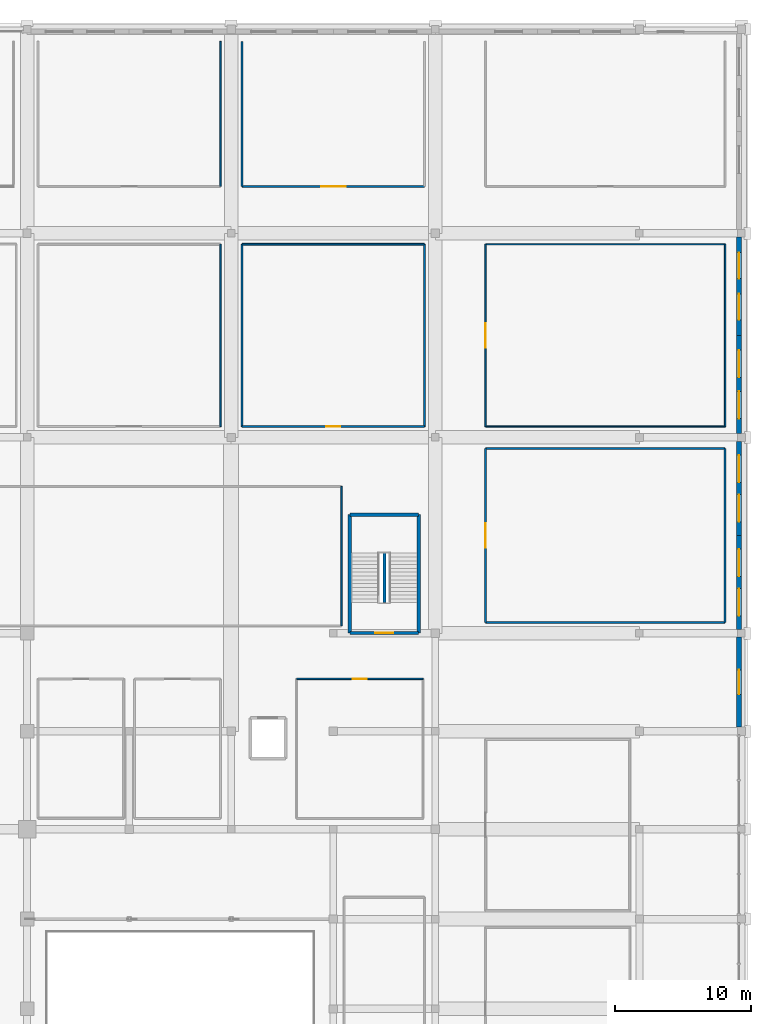
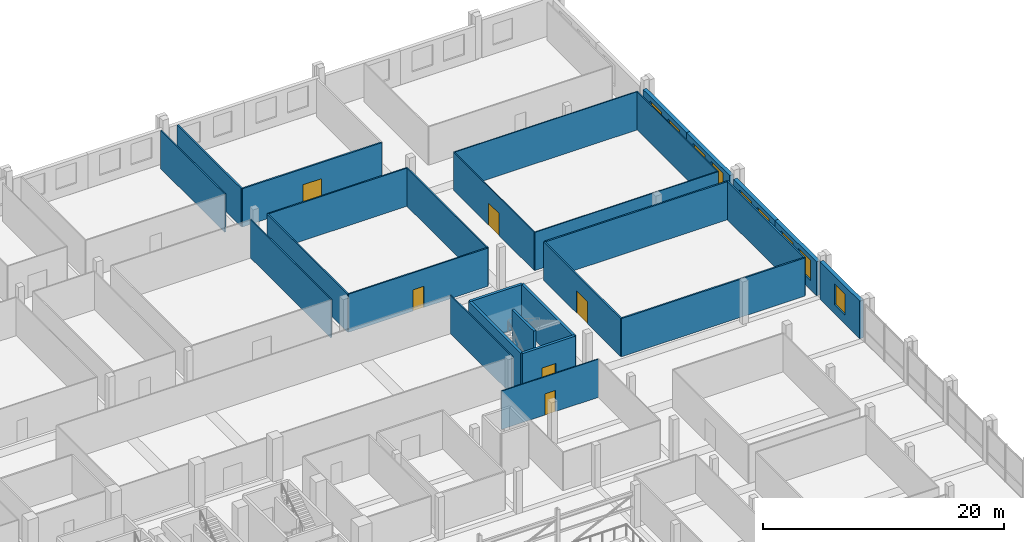
# One storey, part 54 of 68: 28 walls, 9 windows, 6 doors, 15 openings.
"""IFC4 building model written with IfcOpenShell, lengths in metres."""

from ifc_helpers import new_model, si_unit, direction, frame, frame_2d, origin, place, context, subcontext, project, spatial, rectangle, extrude, material, layer, layer_set, type_object, element, fill, save


model = new_model("IFC4")

# Units and contexts
model_context = context("Model", 3, precision=1e-05, world=origin(), true_north=direction((0.0, 1.0)))
body_context = subcontext(model_context, "Body", "Model", "MODEL_VIEW")
ifc_project = project(units=[si_unit("LENGTHUNIT", "METRE"), si_unit("AREAUNIT", "SQUARE_METRE"), si_unit("VOLUMEUNIT", "CUBIC_METRE"), si_unit("PLANEANGLEUNIT", "RADIAN"), si_unit("MASSUNIT", "GRAM", prefix="KILO")], contexts=[model_context])

# Site, building, storey
site_placement = place(None, origin())
site = spatial("IfcSite", under=ifc_project, at=site_placement, CompositionType="ELEMENT")
building_placement = place(site_placement, origin())
building = spatial("IfcBuilding", under=site, at=building_placement, Name="Akrevak Sports Hall", CompositionType="ELEMENT")
storey_placement = place(building_placement, frame((0.0, 0.0, 9.39990234375)))
storey = spatial("IfcBuildingStorey", under=building, at=storey_placement, Name="L02", CompositionType="ELEMENT", Elevation=9.39990234375)

# Wall, opening, window
ifc_material_1 = material(Name="Limestone Ashlar", Category="stone")
ifc_layer_1 = layer(ifc_material_1, 0.080078125, Name="Limestone Ashlar")
ifc_material_2 = material(Name="Mineral Wool Thermal Insulation", Category="insulation")
ifc_layer_2 = layer(ifc_material_2, 0.10009765625, Name="Mineral Wool Thermal Insulation")
ifc_material_3 = material(Name="Concrete C40/50", Category="concrete")
ifc_layer_3 = layer(ifc_material_3, 0.179931640625, Name="Concrete C40/50")
ifc_layer_set_1 = layer_set([ifc_layer_1, ifc_layer_2, ifc_layer_3], Name="Limestone Ashlar / Mineral Wool Thermal Insulation / Concrete C40/50")
wall_type_1 = type_object("IfcWallType", Name="ARC-WL-EXT-360", PredefinedType="SOLIDWALL", material=ifc_layer_set_1)
wall_1_placement = place(storey_placement, frame((167.820068359375, 62.699951171875, 0.0), z_axis=(0.0, 0.0, 1.0), x_axis=(0.0, 1.0, 0.0)))
wall_1 = element("IfcWall", 1, at=wall_1_placement, inside=storey, type_object=wall_type_1, Name="Exterior Limestone Wall L02-E10", PredefinedType="SOLIDWALL", context=body_context, shape_type="SweptSolid", body=[
    extrude(rectangle(XDim=6.625, YDim=0.360107421875, at=frame_2d((3.3125, 0.0))), origin(), (0.0, 0.0, 1.0), 3.820068359375),
])
opening_1_placement = place(wall_1_placement, frame((2.41259765625, 0.0, 0.919921875)))
opening_1 = element("IfcOpeningElement", 2, at=opening_1_placement, cuts=wall_1, Name="Opening WN-37", PredefinedType="OPENING", context=body_context, shape_type="SweptSolid", body=[
    extrude(rectangle(XDim=1.800048828125, YDim=2.10009765625, at=frame_2d((0.89990234375, 1.050048828125))), frame((0.0, 0.19189453125, 0.0), z_axis=(0.0, -1.0, 0.0), x_axis=(1.0, 0.0, 0.0)), (0.0, 0.0, 1.0), 0.384033203125),
])
ifc_material_4 = material(Name="Thermally Broken Bronze Frame & Double Low-E Glass", Category="glass")
window_type_1 = type_object("IfcWindowType", Name="ARC-WIN-SZ-1800x2100", PartitioningType="SINGLE_PANEL", PredefinedType="WINDOW", material=ifc_material_4)
window_1_placement = place(opening_1_placement, origin())
window_1 = element("IfcWindow", 3, at=window_1_placement, inside=storey, type_object=window_type_1, Name="Beaux-Arts Facade Window WIN-L02-E10", OverallHeight=2.10009765625, OverallWidth=1.800048828125, PartitioningType="SINGLE_PANEL", PredefinedType="WINDOW", context=body_context, shape_type="SweptSolid", body=[
    extrude(rectangle(XDim=1.800048828125, YDim=2.10009765625, at=frame_2d((0.89990234375, 1.050048828125))), frame((0.0, 0.030029296875, 0.0), z_axis=(0.0, -1.0, 0.0), x_axis=(1.0, 0.0, 0.0)), (0.0, 0.0, 1.0), 0.06005859375),
])
fill(opening_1, window_1)

# Wall, openings, windows
wall_2_placement = place(storey_placement, frame((167.820068359375, 69.875, 0.0), z_axis=(0.0, 0.0, 1.0), x_axis=(0.0, 1.0, 0.0)))
wall_2 = element("IfcWall", 4, at=wall_2_placement, inside=storey, type_object=wall_type_1, Name="Exterior Limestone Wall L02-E11", PredefinedType="SOLIDWALL", context=body_context, shape_type="SweptSolid", body=[
    extrude(rectangle(XDim=6.925048828125, YDim=0.360107421875, at=frame_2d((3.46240234375, 0.0))), origin(), (0.0, 0.0, 1.0), 3.4501953125),
])
opening_2_placement = place(wall_2_placement, frame((1.00830078125, 0.0, 0.919921875)))
opening_2 = element("IfcOpeningElement", 5, at=opening_2_placement, cuts=wall_2, Name="Opening WN-36", PredefinedType="OPENING", context=body_context, shape_type="SweptSolid", body=[
    extrude(rectangle(XDim=2.0, YDim=2.10009765625, at=frame_2d((1.0, 1.050048828125))), frame((0.0, 0.19189453125, 0.0), z_axis=(0.0, -1.0, 0.0), x_axis=(1.0, 0.0, 0.0)), (0.0, 0.0, 1.0), 0.384033203125),
])
opening_3_placement = place(wall_2_placement, frame((3.916748046875, 0.0, 0.919921875)))
opening_3 = element("IfcOpeningElement", 6, at=opening_3_placement, cuts=wall_2, Name="Opening WN-36", PredefinedType="OPENING", context=body_context, shape_type="SweptSolid", body=[
    extrude(rectangle(XDim=2.0, YDim=2.10009765625, at=frame_2d((1.0, 1.050048828125))), frame((0.0, 0.19189453125, 0.0), z_axis=(0.0, -1.0, 0.0), x_axis=(1.0, 0.0, 0.0)), (0.0, 0.0, 1.0), 0.384033203125),
])
window_type_2 = type_object("IfcWindowType", Name="ARC-WIN-SZ-2000x2100", PartitioningType="SINGLE_PANEL", PredefinedType="WINDOW", material=ifc_material_4)
window_2_placement = place(opening_2_placement, origin())
window_2 = element("IfcWindow", 7, at=window_2_placement, inside=storey, type_object=window_type_2, Name="Beaux-Arts Facade Window WIN-L02-E11-1", OverallHeight=2.10009765625, OverallWidth=2.0, PartitioningType="SINGLE_PANEL", PredefinedType="WINDOW", context=body_context, shape_type="SweptSolid", body=[
    extrude(rectangle(XDim=2.0, YDim=2.10009765625, at=frame_2d((1.0, 1.050048828125))), frame((0.0, 0.030029296875, 0.0), z_axis=(0.0, -1.0, 0.0), x_axis=(1.0, 0.0, 0.0)), (0.0, 0.0, 1.0), 0.06005859375),
])
fill(opening_2, window_2)
window_3_placement = place(opening_3_placement, origin())
window_3 = element("IfcWindow", 8, at=window_3_placement, inside=storey, type_object=window_type_2, Name="Beaux-Arts Facade Window WIN-L02-E11-2", OverallHeight=2.10009765625, OverallWidth=2.0, PartitioningType="SINGLE_PANEL", PredefinedType="WINDOW", context=body_context, shape_type="SweptSolid", body=[
    extrude(rectangle(XDim=2.0, YDim=2.10009765625, at=frame_2d((1.0, 1.050048828125))), frame((0.0, 0.030029296875, 0.0), z_axis=(0.0, -1.0, 0.0), x_axis=(1.0, 0.0, 0.0)), (0.0, 0.0, 1.0), 0.06005859375),
])
fill(opening_3, window_3)

wall_3_placement = place(storey_placement, frame((167.820068359375, 76.800048828125, 0.0), z_axis=(0.0, 0.0, 1.0), x_axis=(0.0, 1.0, 0.0)))
wall_3 = element("IfcWall", 9, at=wall_3_placement, inside=storey, type_object=wall_type_1, Name="Exterior Limestone Wall L02-E12", PredefinedType="SOLIDWALL", context=body_context, shape_type="SweptSolid", body=[
    extrude(rectangle(XDim=6.89990234375, YDim=0.360107421875, at=frame_2d((3.449951171875, 0.0))), origin(), (0.0, 0.0, 1.0), 3.4501953125),
])
opening_4_placement = place(wall_3_placement, frame((1.0009765625, 0.0, 0.919921875)))
opening_4 = element("IfcOpeningElement", 10, at=opening_4_placement, cuts=wall_3, Name="Opening WN-36", PredefinedType="OPENING", context=body_context, shape_type="SweptSolid", body=[
    extrude(rectangle(XDim=2.0, YDim=2.10009765625, at=frame_2d((1.0, 1.050048828125))), frame((0.0, 0.19189453125, 0.0), z_axis=(0.0, -1.0, 0.0), x_axis=(1.0, 0.0, 0.0)), (0.0, 0.0, 1.0), 0.384033203125),
])
opening_5_placement = place(wall_3_placement, frame((3.89892578125, 0.0, 0.919921875)))
opening_5 = element("IfcOpeningElement", 11, at=opening_5_placement, cuts=wall_3, Name="Opening WN-36", PredefinedType="OPENING", context=body_context, shape_type="SweptSolid", body=[
    extrude(rectangle(XDim=2.0, YDim=2.10009765625, at=frame_2d((1.0, 1.050048828125))), frame((0.0, 0.19189453125, 0.0), z_axis=(0.0, -1.0, 0.0), x_axis=(1.0, 0.0, 0.0)), (0.0, 0.0, 1.0), 0.384033203125),
])
window_4_placement = place(opening_4_placement, origin())
window_4 = element("IfcWindow", 12, at=window_4_placement, inside=storey, type_object=window_type_2, Name="Beaux-Arts Facade Window WIN-L02-E12-1", OverallHeight=2.10009765625, OverallWidth=2.0, PartitioningType="SINGLE_PANEL", PredefinedType="WINDOW", context=body_context, shape_type="SweptSolid", body=[
    extrude(rectangle(XDim=2.0, YDim=2.10009765625, at=frame_2d((1.0, 1.050048828125))), frame((0.0, 0.030029296875, 0.0), z_axis=(0.0, -1.0, 0.0), x_axis=(1.0, 0.0, 0.0)), (0.0, 0.0, 1.0), 0.06005859375),
])
fill(opening_4, window_4)
window_5_placement = place(opening_5_placement, origin())
window_5 = element("IfcWindow", 13, at=window_5_placement, inside=storey, type_object=window_type_2, Name="Beaux-Arts Facade Window WIN-L02-E12-2", OverallHeight=2.10009765625, OverallWidth=2.0, PartitioningType="SINGLE_PANEL", PredefinedType="WINDOW", context=body_context, shape_type="SweptSolid", body=[
    extrude(rectangle(XDim=2.0, YDim=2.10009765625, at=frame_2d((1.0, 1.050048828125))), frame((0.0, 0.030029296875, 0.0), z_axis=(0.0, -1.0, 0.0), x_axis=(1.0, 0.0, 0.0)), (0.0, 0.0, 1.0), 0.06005859375),
])
fill(opening_5, window_5)

wall_4_placement = place(storey_placement, frame((167.820068359375, 84.300048828125, 0.0), z_axis=(0.0, 0.0, 1.0), x_axis=(0.0, 1.0, 0.0)))
wall_4 = element("IfcWall", 14, at=wall_4_placement, inside=storey, type_object=wall_type_1, Name="Exterior Limestone Wall L02-E13", PredefinedType="SOLIDWALL", context=body_context, shape_type="SweptSolid", body=[
    extrude(rectangle(XDim=7.199951171875, YDim=0.360107421875, at=frame_2d((3.60009765625, 0.0))), origin(), (0.0, 0.0, 1.0), 3.4501953125),
])
opening_6_placement = place(wall_4_placement, frame((1.087890625, 0.0, 0.919921875)))
opening_6 = element("IfcOpeningElement", 15, at=opening_6_placement, cuts=wall_4, Name="Opening WN-36", PredefinedType="OPENING", context=body_context, shape_type="SweptSolid", body=[
    extrude(rectangle(XDim=2.0, YDim=2.10009765625, at=frame_2d((1.0, 1.050048828125))), frame((0.0, 0.19189453125, 0.0), z_axis=(0.0, -1.0, 0.0), x_axis=(1.0, 0.0, 0.0)), (0.0, 0.0, 1.0), 0.384033203125),
])
opening_7_placement = place(wall_4_placement, frame((4.112060546875, 0.0, 0.919921875)))
opening_7 = element("IfcOpeningElement", 16, at=opening_7_placement, cuts=wall_4, Name="Opening WN-36", PredefinedType="OPENING", context=body_context, shape_type="SweptSolid", body=[
    extrude(rectangle(XDim=2.0, YDim=2.10009765625, at=frame_2d((1.0, 1.050048828125))), frame((0.0, 0.19189453125, 0.0), z_axis=(0.0, -1.0, 0.0), x_axis=(1.0, 0.0, 0.0)), (0.0, 0.0, 1.0), 0.384033203125),
])
window_6_placement = place(opening_6_placement, origin())
window_6 = element("IfcWindow", 17, at=window_6_placement, inside=storey, type_object=window_type_2, Name="Beaux-Arts Facade Window WIN-L02-E13-1", OverallHeight=2.10009765625, OverallWidth=2.0, PartitioningType="SINGLE_PANEL", PredefinedType="WINDOW", context=body_context, shape_type="SweptSolid", body=[
    extrude(rectangle(XDim=2.0, YDim=2.10009765625, at=frame_2d((1.0, 1.050048828125))), frame((0.0, 0.030029296875, 0.0), z_axis=(0.0, -1.0, 0.0), x_axis=(1.0, 0.0, 0.0)), (0.0, 0.0, 1.0), 0.06005859375),
])
fill(opening_6, window_6)
window_7_placement = place(opening_7_placement, origin())
window_7 = element("IfcWindow", 18, at=window_7_placement, inside=storey, type_object=window_type_2, Name="Beaux-Arts Facade Window WIN-L02-E13-2", OverallHeight=2.10009765625, OverallWidth=2.0, PartitioningType="SINGLE_PANEL", PredefinedType="WINDOW", context=body_context, shape_type="SweptSolid", body=[
    extrude(rectangle(XDim=2.0, YDim=2.10009765625, at=frame_2d((1.0, 1.050048828125))), frame((0.0, 0.030029296875, 0.0), z_axis=(0.0, -1.0, 0.0), x_axis=(1.0, 0.0, 0.0)), (0.0, 0.0, 1.0), 0.06005859375),
])
fill(opening_7, window_7)

wall_5_placement = place(storey_placement, frame((167.820068359375, 91.5, 0.0), z_axis=(0.0, 0.0, 1.0), x_axis=(0.0, 1.0, 0.0)))
wall_5 = element("IfcWall", 19, at=wall_5_placement, inside=storey, type_object=wall_type_1, Name="Exterior Limestone Wall L02-E14", PredefinedType="SOLIDWALL", context=body_context, shape_type="SweptSolid", body=[
    extrude(rectangle(XDim=7.22509765625, YDim=0.360107421875, at=frame_2d((3.612548828125, 0.0))), origin(), (0.0, 0.0, 1.0), 3.4501953125),
])
opening_8_placement = place(wall_5_placement, frame((1.145263671875, 0.0, 0.919921875)))
opening_8 = element("IfcOpeningElement", 20, at=opening_8_placement, cuts=wall_5, Name="Opening WN-38", PredefinedType="OPENING", context=body_context, shape_type="SweptSolid", body=[
    extrude(rectangle(XDim=1.89990234375, YDim=2.10009765625, at=frame_2d((0.949951171875, 1.050048828125))), frame((0.0, 0.19189453125, 0.0), z_axis=(0.0, -1.0, 0.0), x_axis=(1.0, 0.0, 0.0)), (0.0, 0.0, 1.0), 0.384033203125),
])
opening_9_placement = place(wall_5_placement, frame((4.1796875, 0.0, 0.919921875)))
opening_9 = element("IfcOpeningElement", 21, at=opening_9_placement, cuts=wall_5, Name="Opening WN-38", PredefinedType="OPENING", context=body_context, shape_type="SweptSolid", body=[
    extrude(rectangle(XDim=1.89990234375, YDim=2.10009765625, at=frame_2d((0.949951171875, 1.050048828125))), frame((0.0, 0.19189453125, 0.0), z_axis=(0.0, -1.0, 0.0), x_axis=(1.0, 0.0, 0.0)), (0.0, 0.0, 1.0), 0.384033203125),
])
window_type_3 = type_object("IfcWindowType", Name="ARC-WIN-SZ-1900x2100", PartitioningType="SINGLE_PANEL", PredefinedType="WINDOW", material=ifc_material_4)
window_8_placement = place(opening_8_placement, origin())
window_8 = element("IfcWindow", 22, at=window_8_placement, inside=storey, type_object=window_type_3, Name="Beaux-Arts Facade Window WIN-L02-E14-1", OverallHeight=2.10009765625, OverallWidth=1.89990234375, PartitioningType="SINGLE_PANEL", PredefinedType="WINDOW", context=body_context, shape_type="SweptSolid", body=[
    extrude(rectangle(XDim=1.89990234375, YDim=2.10009765625, at=frame_2d((0.949951171875, 1.050048828125))), frame((0.0, 0.030029296875, 0.0), z_axis=(0.0, -1.0, 0.0), x_axis=(1.0, 0.0, 0.0)), (0.0, 0.0, 1.0), 0.06005859375),
])
fill(opening_8, window_8)
window_9_placement = place(opening_9_placement, origin())
window_9 = element("IfcWindow", 23, at=window_9_placement, inside=storey, type_object=window_type_3, Name="Beaux-Arts Facade Window WIN-L02-E14-2", OverallHeight=2.10009765625, OverallWidth=1.89990234375, PartitioningType="SINGLE_PANEL", PredefinedType="WINDOW", context=body_context, shape_type="SweptSolid", body=[
    extrude(rectangle(XDim=1.89990234375, YDim=2.10009765625, at=frame_2d((0.949951171875, 1.050048828125))), frame((0.0, 0.030029296875, 0.0), z_axis=(0.0, -1.0, 0.0), x_axis=(1.0, 0.0, 0.0)), (0.0, 0.0, 1.0), 0.06005859375),
])
fill(opening_9, window_9)

# Wall, opening, door
ifc_material_5 = material(Name="Sanitary Cubicle Partition", Category="gypsum")
ifc_layer_4 = layer(ifc_material_5, 0.10009765625, Name="Sanitary Cubicle Partition")
ifc_layer_set_2 = layer_set([ifc_layer_4], Name="Sanitary Cubicle Partition")
wall_type_2 = type_object("IfcWallType", Name="ARC-WL-PRT-100", PredefinedType="PARTITIONING", material=ifc_layer_set_2)
wall_6_placement = place(storey_placement, frame((135.300048828125, 66.25, 0.0), z_axis=(0.0, 0.0, 1.0), x_axis=(1.0, 0.0, 0.0)))
wall_6 = element("IfcWall", 24, at=wall_6_placement, inside=storey, type_object=wall_type_2, Name="Interior Partition Match Delegates & Referees Office L02 (N)", PredefinedType="PARTITIONING", context=body_context, shape_type="SweptSolid", body=[
    extrude(rectangle(XDim=9.300048828125, YDim=0.10009765625, at=frame_2d((4.64990234375, 0.0))), origin(), (0.0, 0.0, 1.0), 3.880126953125),
])
opening_10_placement = place(wall_6_placement, frame((4.14990234375, 0.0, 0.0)))
opening_10 = element("IfcOpeningElement", 25, at=opening_10_placement, cuts=wall_6, Name="Opening ID-06", PredefinedType="OPENING", context=body_context, shape_type="SweptSolid", body=[
    extrude(rectangle(XDim=1.0, YDim=2.14990234375, at=frame_2d((0.5, 1.074951171875))), frame((0.0, 0.06201171875, 0.0), z_axis=(0.0, -1.0, 0.0), x_axis=(1.0, 0.0, 0.0)), (0.0, 0.0, 1.0), 0.1240234375),
])
ifc_material_6 = material(Name="Hardwood Oak Acoustic Leaf", Category="wood")
door_type_1 = type_object("IfcDoorType", Name="ARC-DR-OFF-100x215", OperationType="NOTDEFINED", PredefinedType="DOOR", material=ifc_material_6)
door_1_placement = place(opening_10_placement, frame((1.0, 0.0, 0.0), z_axis=(0.0, 0.0, 1.0), x_axis=(-1.0, 0.0, 0.0)))
door_1 = element("IfcDoor", 26, at=door_1_placement, inside=storey, type_object=door_type_1, Name="Door to Match Delegates & Referees Office L02", OperationType="SINGLE_SWING_RIGHT", OverallHeight=2.14990234375, OverallWidth=1.0, PredefinedType="DOOR", context=body_context, shape_type="SweptSolid", body=[
    extrude(rectangle(XDim=1.0, YDim=2.14990234375, at=frame_2d((0.5, 1.074951171875))), frame((0.0, 0.02490234375, 0.0), z_axis=(0.0, -1.0, 0.0), x_axis=(1.0, 0.0, 0.0)), (0.0, 0.0, 1.0), 0.050048828125),
])
fill(opening_10, door_1)

# Walls
for number, where, z_axis, x_axis, name in (
    (27, (149.199951171875, 84.800048828125, 0.0), (0.0, 0.0, 1.0), (1.0, 0.0, 0.0), "Interior Partition North-East Gear Storage L02-2 (S)"),
    (28, (149.199951171875, 98.199951171875, 0.0), (0.0, 0.0, 1.0), (1.0, 0.0, 0.0), "Interior Partition North-East Gear Storage L02-2 (N)"),
):
    element("IfcWall", number, at=place(storey_placement, frame(where, z_axis=z_axis, x_axis=x_axis)), inside=storey, type_object=wall_type_2, Name=name, PredefinedType="PARTITIONING", context=body_context, shape_type="SweptSolid", body=[
        extrude(rectangle(XDim=17.60009765625, YDim=0.10009765625, at=frame_2d((8.800048828125, 0.0))), origin(), (0.0, 0.0, 1.0), 3.880126953125),
    ])

# Wall, opening, door
wall_7_placement = place(storey_placement, frame((149.199951171875, 84.800048828125, 0.0), z_axis=(0.0, 0.0, 1.0), x_axis=(0.0, 1.0, 0.0)))
wall_7 = element("IfcWall", 29, at=wall_7_placement, inside=storey, type_object=wall_type_2, Name="Interior Partition North-East Gear Storage L02-2 (W)", PredefinedType="PARTITIONING", context=body_context, shape_type="SweptSolid", body=[
    extrude(rectangle(XDim=13.39990234375, YDim=0.10009765625, at=frame_2d((6.699951171875, 0.0))), origin(), (0.0, 0.0, 1.0), 3.880126953125),
])
opening_11_placement = place(wall_7_placement, frame((5.800048828125, 0.0, 0.0)))
opening_11 = element("IfcOpeningElement", 30, at=opening_11_placement, cuts=wall_7, Name="Opening ID-02", PredefinedType="OPENING", context=body_context, shape_type="SweptSolid", body=[
    extrude(rectangle(XDim=1.800048828125, YDim=2.25, at=frame_2d((0.89990234375, 1.125))), frame((0.0, 0.06201171875, 0.0), z_axis=(0.0, -1.0, 0.0), x_axis=(1.0, 0.0, 0.0)), (0.0, 0.0, 1.0), 0.1240234375),
])
ifc_material_7 = material(Name="Hardwood Oak & Safety Glass", Category="wood")
door_type_2 = type_object("IfcDoorType", Name="ARC-DR-HALL-180x225", OperationType="DOUBLE_DOOR_SINGLE_SWING", PredefinedType="DOOR", material=ifc_material_7)
door_2_placement = place(opening_11_placement, origin())
door_2 = element("IfcDoor", 31, at=door_2_placement, inside=storey, type_object=door_type_2, Name="Door to North-East Gear Storage L02-2", OperationType="DOUBLE_DOOR_SINGLE_SWING", OverallHeight=2.25, OverallWidth=1.800048828125, PredefinedType="DOOR", context=body_context, shape_type="SweptSolid", body=[
    extrude(rectangle(XDim=1.800048828125, YDim=2.25, at=frame_2d((0.89990234375, 1.125))), frame((0.0, 0.02490234375, 0.0), z_axis=(0.0, -1.0, 0.0), x_axis=(1.0, 0.0, 0.0)), (0.0, 0.0, 1.0), 0.050048828125),
])
fill(opening_11, door_2)

# Walls
wall_8_placement = place(storey_placement, frame((166.800048828125, 84.800048828125, 0.0), z_axis=(0.0, 0.0, 1.0), x_axis=(0.0, 1.0, 0.0)))
element("IfcWall", 32, at=wall_8_placement, inside=storey, type_object=wall_type_2, Name="Interior Partition North-East Gear Storage L02-2 (E)", PredefinedType="PARTITIONING", context=body_context, shape_type="SweptSolid", body=[
    extrude(rectangle(XDim=13.39990234375, YDim=0.10009765625, at=frame_2d((6.699951171875, 0.0))), origin(), (0.0, 0.0, 1.0), 3.880126953125),
])
ifc_material_8 = material(Name="Lightweight Office Partition", Category="gypsum")
ifc_layer_5 = layer(ifc_material_8, 0.110107421875, Name="Lightweight Office Partition")
ifc_layer_set_3 = layer_set([ifc_layer_5], Name="Lightweight Office Partition")
wall_type_3 = type_object("IfcWallType", Name="ARC-WL-PRT-110", PredefinedType="PARTITIONING", material=ifc_layer_set_3)
wall_9_placement = place(storey_placement, frame((138.60009765625, 70.14990234375, 0.0), z_axis=(0.0, 0.0, 1.0), x_axis=(0.0, 1.0, 0.0)))
element("IfcWall", 33, at=wall_9_placement, inside=storey, type_object=wall_type_3, Name="Interior Partition Upper Equipment Storage L02-3 (E)", PredefinedType="PARTITIONING", context=body_context, shape_type="SweptSolid", body=[
    extrude(rectangle(XDim=10.25, YDim=0.110107421875, at=frame_2d((5.125, 0.0))), origin(), (0.0, 0.0, 1.0), 3.880126953125),
])
ifc_material_9 = material(Name="Standard Metal Stud Partition", Category="gypsum")
ifc_layer_6 = layer(ifc_material_9, 0.1201171875, Name="Standard Metal Stud Partition")
ifc_layer_set_4 = layer_set([ifc_layer_6], Name="Standard Metal Stud Partition")
wall_type_4 = type_object("IfcWallType", Name="ARC-WL-PRT-120", PredefinedType="PARTITIONING", material=ifc_layer_set_4)
wall_10_placement = place(storey_placement, frame((129.699951171875, 84.800048828125, 0.0), z_axis=(0.0, 0.0, 1.0), x_axis=(0.0, 1.0, 0.0)))
element("IfcWall", 34, at=wall_10_placement, inside=storey, type_object=wall_type_4, Name="Interior Partition Athletic Gear & Equipment Storage L02-10 (E)", PredefinedType="PARTITIONING", context=body_context, shape_type="SweptSolid", body=[
    extrude(rectangle(XDim=13.39990234375, YDim=0.1201171875, at=frame_2d((6.699951171875, 0.0))), origin(), (0.0, 0.0, 1.0), 3.880126953125),
])
wall_11_placement = place(storey_placement, frame((129.699951171875, 102.449951171875, 0.0), z_axis=(0.0, 0.0, 1.0), x_axis=(0.0, 1.0, 0.0)))
element("IfcWall", 35, at=wall_11_placement, inside=storey, type_object=wall_type_4, Name="Interior Partition Federation Officiating & Records Office L02-10 (E)", PredefinedType="PARTITIONING", context=body_context, shape_type="SweptSolid", body=[
    extrude(rectangle(XDim=10.650146484375, YDim=0.1201171875, at=frame_2d((5.3251953125, 0.0))), origin(), (0.0, 0.0, 1.0), 3.880126953125),
])

# Wall, opening, door
ifc_material_10 = material(Name="Acoustic Metal Stud Partition", Category="gypsum")
ifc_layer_7 = layer(ifc_material_10, 0.1298828125, Name="Acoustic Metal Stud Partition")
ifc_layer_set_5 = layer_set([ifc_layer_7], Name="Acoustic Metal Stud Partition")
wall_type_5 = type_object("IfcWallType", Name="ARC-WL-PRT-130", PredefinedType="PARTITIONING", material=ifc_layer_set_5)
wall_12_placement = place(storey_placement, frame((131.300048828125, 84.800048828125, 0.0), z_axis=(0.0, 0.0, 1.0), x_axis=(1.0, 0.0, 0.0)))
wall_12 = element("IfcWall", 36, at=wall_12_placement, inside=storey, type_object=wall_type_5, Name="Interior Partition Sports Federation Training Office L02-11 (S)", PredefinedType="PARTITIONING", context=body_context, shape_type="SweptSolid", body=[
    extrude(rectangle(XDim=13.39990234375, YDim=0.1298828125, at=frame_2d((6.699951171875, 0.0))), origin(), (0.0, 0.0, 1.0), 3.880126953125),
])
opening_12_placement = place(wall_12_placement, frame((6.175048828125, 0.0, 0.0)))
opening_12 = element("IfcOpeningElement", 37, at=opening_12_placement, cuts=wall_12, Name="Opening ID-05", PredefinedType="OPENING", context=body_context, shape_type="SweptSolid", body=[
    extrude(rectangle(XDim=1.050048828125, YDim=2.14990234375, at=frame_2d((0.52490234375, 1.074951171875))), frame((0.0, 0.076904296875, 0.0), z_axis=(0.0, -1.0, 0.0), x_axis=(1.0, 0.0, 0.0)), (0.0, 0.0, 1.0), 0.15380859375),
])
door_type_3 = type_object("IfcDoorType", Name="ARC-DR-OFF-105x215", OperationType="NOTDEFINED", PredefinedType="DOOR", material=ifc_material_6)
door_3_placement = place(opening_12_placement, frame((1.050048828125, 0.0, 0.0), z_axis=(0.0, 0.0, 1.0), x_axis=(-1.0, 0.0, 0.0)))
door_3 = element("IfcDoor", 38, at=door_3_placement, inside=storey, type_object=door_type_3, Name="Door to Sports Federation Training Office L02-11", OperationType="SINGLE_SWING_RIGHT", OverallHeight=2.14990234375, OverallWidth=1.050048828125, PredefinedType="DOOR", context=body_context, shape_type="SweptSolid", body=[
    extrude(rectangle(XDim=1.050048828125, YDim=2.14990234375, at=frame_2d((0.52490234375, 1.074951171875))), frame((0.0, 0.02490234375, 0.0), z_axis=(0.0, -1.0, 0.0), x_axis=(1.0, 0.0, 0.0)), (0.0, 0.0, 1.0), 0.050048828125),
])
fill(opening_12, door_3)

# Walls
for number, where, z_axis, x_axis, name in (
    (39, (131.300048828125, 98.199951171875, 0.0), (0.0, 0.0, 1.0), (1.0, 0.0, 0.0), "Interior Partition Sports Federation Training Office L02-11 (N)"),
    (40, (131.300048828125, 84.800048828125, 0.0), (0.0, 0.0, 1.0), (0.0, 1.0, 0.0), "Interior Partition Sports Federation Training Office L02-11 (W)"),
    (41, (144.699951171875, 84.800048828125, 0.0), (0.0, 0.0, 1.0), (0.0, 1.0, 0.0), "Interior Partition Sports Federation Training Office L02-11 (E)"),
):
    element("IfcWall", number, at=place(storey_placement, frame(where, z_axis=z_axis, x_axis=x_axis)), inside=storey, type_object=wall_type_5, Name=name, PredefinedType="PARTITIONING", context=body_context, shape_type="SweptSolid", body=[
        extrude(rectangle(XDim=13.39990234375, YDim=0.1298828125, at=frame_2d((6.699951171875, 0.0))), origin(), (0.0, 0.0, 1.0), 3.880126953125),
    ])

# Wall, opening, door
ifc_material_11 = material(Name="Double Stud Acoustic Gypsum Partition", Category="gypsum")
ifc_layer_8 = layer(ifc_material_11, 0.14990234375, Name="Double Stud Acoustic Gypsum Partition")
ifc_layer_set_6 = layer_set([ifc_layer_8], Name="Double Stud Acoustic Gypsum Partition")
wall_type_6 = type_object("IfcWallType", Name="ARC-WL-PRT-150", PredefinedType="PARTITIONING", material=ifc_layer_set_6)
wall_13_placement = place(storey_placement, frame((131.300048828125, 102.449951171875, 0.0), z_axis=(0.0, 0.0, 1.0), x_axis=(1.0, 0.0, 0.0)))
wall_13 = element("IfcWall", 42, at=wall_13_placement, inside=storey, type_object=wall_type_6, Name="Interior Partition Competition Equipment Storage L02-11 (S)", PredefinedType="PARTITIONING", context=body_context, shape_type="SweptSolid", body=[
    extrude(rectangle(XDim=13.39990234375, YDim=0.14990234375, at=frame_2d((6.699951171875, 0.0))), origin(), (0.0, 0.0, 1.0), 3.880126953125),
])
opening_13_placement = place(wall_13_placement, frame((5.800048828125, 0.0, 0.0)))
opening_13 = element("IfcOpeningElement", 43, at=opening_13_placement, cuts=wall_13, Name="Opening ID-02", PredefinedType="OPENING", context=body_context, shape_type="SweptSolid", body=[
    extrude(rectangle(XDim=1.800048828125, YDim=2.25, at=frame_2d((0.89990234375, 1.125))), frame((0.0, 0.0869140625, 0.0), z_axis=(0.0, -1.0, 0.0), x_axis=(1.0, 0.0, 0.0)), (0.0, 0.0, 1.0), 0.173828125),
])
door_4_placement = place(opening_13_placement, origin())
door_4 = element("IfcDoor", 44, at=door_4_placement, inside=storey, type_object=door_type_2, Name="Door to Competition Equipment Storage L02-11", OperationType="DOUBLE_DOOR_SINGLE_SWING", OverallHeight=2.25, OverallWidth=1.800048828125, PredefinedType="DOOR", context=body_context, shape_type="SweptSolid", body=[
    extrude(rectangle(XDim=1.800048828125, YDim=2.25, at=frame_2d((0.89990234375, 1.125))), frame((0.0, 0.02490234375, 0.0), z_axis=(0.0, -1.0, 0.0), x_axis=(1.0, 0.0, 0.0)), (0.0, 0.0, 1.0), 0.050048828125),
])
fill(opening_13, door_4)

# Walls
wall_14_placement = place(storey_placement, frame((131.300048828125, 102.449951171875, 0.0), z_axis=(0.0, 0.0, 1.0), x_axis=(0.0, 1.0, 0.0)))
element("IfcWall", 45, at=wall_14_placement, inside=storey, type_object=wall_type_6, Name="Interior Partition Competition Equipment Storage L02-11 (W)", PredefinedType="PARTITIONING", context=body_context, shape_type="SweptSolid", body=[
    extrude(rectangle(XDim=10.650146484375, YDim=0.14990234375, at=frame_2d((5.3251953125, 0.0))), origin(), (0.0, 0.0, 1.0), 3.880126953125),
])
for number, where, z_axis, x_axis, name in (
    (46, (149.199951171875, 70.39990234375, 0.0), (0.0, 0.0, 1.0), (1.0, 0.0, 0.0), "Interior Partition North-East Gear Storage L02-1 (S)"),
    (47, (149.199951171875, 83.199951171875, 0.0), (0.0, 0.0, 1.0), (1.0, 0.0, 0.0), "Interior Partition North-East Gear Storage L02-1 (N)"),
):
    element("IfcWall", number, at=place(storey_placement, frame(where, z_axis=z_axis, x_axis=x_axis)), inside=storey, type_object=wall_type_6, Name=name, PredefinedType="PARTITIONING", context=body_context, shape_type="SweptSolid", body=[
        extrude(rectangle(XDim=17.60009765625, YDim=0.14990234375, at=frame_2d((8.800048828125, 0.0))), origin(), (0.0, 0.0, 1.0), 3.880126953125),
    ])

# Wall, opening, door
wall_15_placement = place(storey_placement, frame((149.199951171875, 70.39990234375, 0.0), z_axis=(0.0, 0.0, 1.0), x_axis=(0.0, 1.0, 0.0)))
wall_15 = element("IfcWall", 48, at=wall_15_placement, inside=storey, type_object=wall_type_6, Name="Interior Partition North-East Gear Storage L02-1 (W)", PredefinedType="PARTITIONING", context=body_context, shape_type="SweptSolid", body=[
    extrude(rectangle(XDim=12.800048828125, YDim=0.14990234375, at=frame_2d((6.39990234375, 0.0))), origin(), (0.0, 0.0, 1.0), 3.880126953125),
])
opening_14_placement = place(wall_15_placement, frame((5.5, 0.0, 0.0)))
opening_14 = element("IfcOpeningElement", 49, at=opening_14_placement, cuts=wall_15, Name="Opening ID-02", PredefinedType="OPENING", context=body_context, shape_type="SweptSolid", body=[
    extrude(rectangle(XDim=1.800048828125, YDim=2.25, at=frame_2d((0.89990234375, 1.125))), frame((0.0, 0.0869140625, 0.0), z_axis=(0.0, -1.0, 0.0), x_axis=(1.0, 0.0, 0.0)), (0.0, 0.0, 1.0), 0.173828125),
])
door_5_placement = place(opening_14_placement, origin())
door_5 = element("IfcDoor", 50, at=door_5_placement, inside=storey, type_object=door_type_2, Name="Door to North-East Gear Storage L02-1", OperationType="DOUBLE_DOOR_SINGLE_SWING", OverallHeight=2.25, OverallWidth=1.800048828125, PredefinedType="DOOR", context=body_context, shape_type="SweptSolid", body=[
    extrude(rectangle(XDim=1.800048828125, YDim=2.25, at=frame_2d((0.89990234375, 1.125))), frame((0.0, 0.02490234375, 0.0), z_axis=(0.0, -1.0, 0.0), x_axis=(1.0, 0.0, 0.0)), (0.0, 0.0, 1.0), 0.050048828125),
])
fill(opening_14, door_5)

# Walls
wall_16_placement = place(storey_placement, frame((166.800048828125, 70.39990234375, 0.0), z_axis=(0.0, 0.0, 1.0), x_axis=(0.0, 1.0, 0.0)))
element("IfcWall", 51, at=wall_16_placement, inside=storey, type_object=wall_type_6, Name="Interior Partition North-East Gear Storage L02-1 (E)", PredefinedType="PARTITIONING", context=body_context, shape_type="SweptSolid", body=[
    extrude(rectangle(XDim=12.800048828125, YDim=0.14990234375, at=frame_2d((6.39990234375, 0.0))), origin(), (0.0, 0.0, 1.0), 3.880126953125),
])
ifc_layer_9 = layer(ifc_material_3, 0.219970703125, Name="Concrete C40/50")
ifc_layer_set_7 = layer_set([ifc_layer_9], Name="Concrete C40/50")
wall_type_7 = type_object("IfcWallType", Name="ARC-WL-PRT-220", PredefinedType="PARTITIONING", material=ifc_layer_set_7)
wall_17_placement = place(storey_placement, frame((141.75, 71.85009765625, 0.0), z_axis=(0.0, 0.0, 1.0), x_axis=(0.0, 1.0, 0.0)))
element("IfcWall", 52, at=wall_17_placement, inside=storey, type_object=wall_type_7, Name="Stair ST8 Central Spine Wall (L02)", PredefinedType="PARTITIONING", context=body_context, shape_type="SweptSolid", body=[
    extrude(rectangle(XDim=3.639892578125, YDim=0.219970703125, at=frame_2d((1.81982421875, 0.0))), origin(), (0.0, 0.0, 1.0), 4.320068359375),
])

# Wall, opening, door
ifc_material_12 = material(Name="Concrete C50/60", Category="concrete")
ifc_layer_10 = layer(ifc_material_12, 0.25, Name="Concrete C50/60")
ifc_layer_set_8 = layer_set([ifc_layer_10], Name="Concrete C50/60")
wall_type_8 = type_object("IfcWallType", Name="STR-WL-STAIR-250", PredefinedType="SHEAR", material=ifc_layer_set_8)
wall_18_placement = place(storey_placement, frame((139.22509765625, 69.625, 0.0), z_axis=(0.0, 0.0, 1.0), x_axis=(1.0, 0.0, 0.0)))
wall_18 = element("IfcWall", 53, at=wall_18_placement, inside=storey, type_object=wall_type_8, Name="Stair Core ST8 Shear Wall S (L02)", PredefinedType="SHEAR", context=body_context, shape_type="SweptSolid", body=[
    extrude(rectangle(XDim=5.0498046875, YDim=0.25, at=frame_2d((2.52490234375, 0.0))), origin(), (0.0, 0.0, 1.0), 4.320068359375),
])
opening_15_placement = place(wall_18_placement, frame((1.875, 0.0, 0.0)))
opening_15 = element("IfcOpeningElement", 54, at=opening_15_placement, cuts=wall_18, Name="Opening SD-01", PredefinedType="OPENING", context=body_context, shape_type="SweptSolid", body=[
    extrude(rectangle(XDim=1.300048828125, YDim=2.199951171875, at=frame_2d((0.64990234375, 1.10009765625))), frame((0.0, 0.136962890625, 0.0), z_axis=(0.0, -1.0, 0.0), x_axis=(1.0, 0.0, 0.0)), (0.0, 0.0, 1.0), 0.27392578125),
])
ifc_material_13 = material(Name="Fire-Rated Galvanized Door Steel", Category="steel")
door_type_4 = type_object("IfcDoorType", Name="ARC-DR-STAIR-130x220", OperationType="NOTDEFINED", PredefinedType="DOOR", material=ifc_material_13)
door_6_placement = place(opening_15_placement, origin())
door_6 = element("IfcDoor", 55, at=door_6_placement, inside=storey, type_object=door_type_4, Name="Exit Stair ST8 Door (L02)", OperationType="SINGLE_SWING_LEFT", OverallHeight=2.199951171875, OverallWidth=1.300048828125, PredefinedType="DOOR", context=body_context, shape_type="SweptSolid", body=[
    extrude(rectangle(XDim=1.300048828125, YDim=2.199951171875, at=frame_2d((0.64990234375, 1.10009765625))), frame((0.0, 0.02490234375, 0.0), z_axis=(0.0, -1.0, 0.0), x_axis=(1.0, 0.0, 0.0)), (0.0, 0.0, 1.0), 0.050048828125),
])
fill(opening_15, door_6)

# Walls
wall_19_placement = place(storey_placement, frame((144.27490234375, 78.324951171875, 0.0), z_axis=(0.0, 0.0, 1.0), x_axis=(-1.0, 0.0, 0.0)))
element("IfcWall", 56, at=wall_19_placement, inside=storey, type_object=wall_type_8, Name="Stair Core ST8 Shear Wall N (L02)", PredefinedType="SHEAR", context=body_context, shape_type="SweptSolid", body=[
    extrude(rectangle(XDim=5.0498046875, YDim=0.25, at=frame_2d((2.52490234375, 0.0))), origin(), (0.0, 0.0, 1.0), 4.320068359375),
])
for number, where, z_axis, x_axis, name in (
    (57, (139.22509765625, 78.324951171875, 0.0), (0.0, 0.0, 1.0), (0.0, -1.0, 0.0), "Stair Core ST8 Shear Wall W (L02)"),
    (58, (144.27490234375, 69.625, 0.0), (0.0, 0.0, 1.0), (0.0, 1.0, 0.0), "Stair Core ST8 Shear Wall E (L02)"),
):
    element("IfcWall", number, at=place(storey_placement, frame(where, z_axis=z_axis, x_axis=x_axis)), inside=storey, type_object=wall_type_8, Name=name, PredefinedType="SHEAR", context=body_context, shape_type="SweptSolid", body=[
        extrude(rectangle(XDim=8.699951171875, YDim=0.25, at=frame_2d((4.35009765625, 0.0))), origin(), (0.0, 0.0, 1.0), 4.320068359375),
    ])

save(model, "model.ifc")
